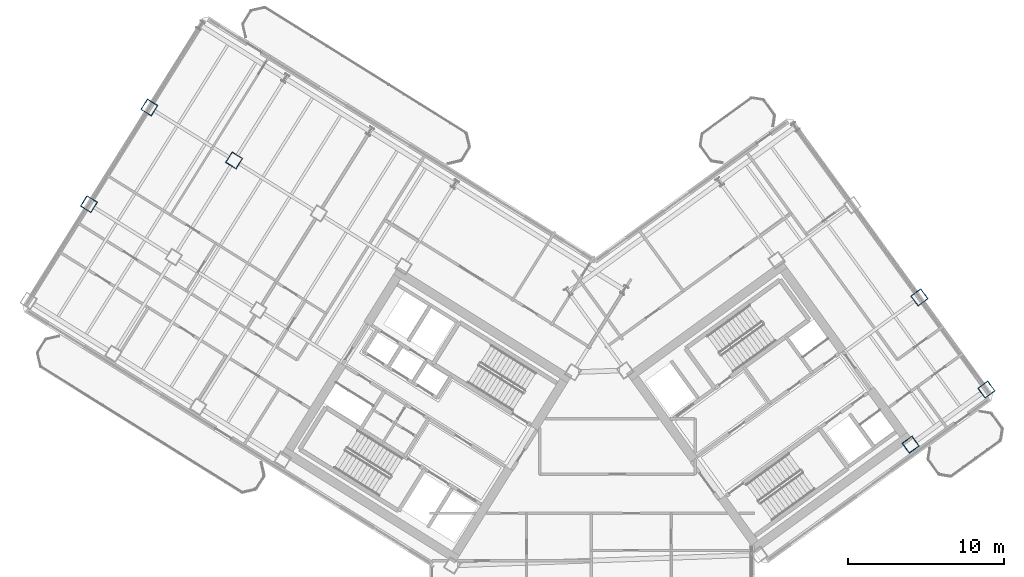
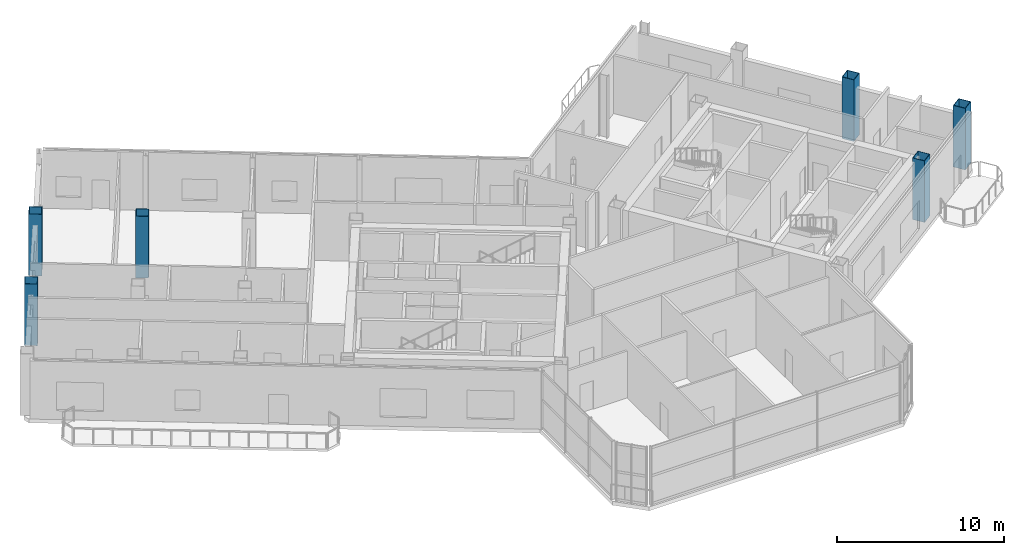
# One storey, part 2 of 21: 6 columns.
"""IFC4 building model written with IfcOpenShell, lengths in metres."""

from ifc_helpers import new_model, si_unit, direction, frame, origin, origin_2d, place, context, subcontext, project, spatial, hollow_rectangle, extrude, source, transform, mapped, material, material_profile, profile_set, type_object, element, save


model = new_model("IFC4")

# Units and contexts
model_context = context("Model", 3, precision=1e-05, world=origin(), true_north=direction((0.0, 1.0)))
body_context = subcontext(model_context, "Body", "Model", "MODEL_VIEW")
ifc_project = project(units=[si_unit("LENGTHUNIT", "METRE"), si_unit("AREAUNIT", "SQUARE_METRE"), si_unit("VOLUMEUNIT", "CUBIC_METRE"), si_unit("PLANEANGLEUNIT", "RADIAN"), si_unit("MASSUNIT", "GRAM", prefix="KILO")], contexts=[model_context])

# Site, building, storey
site_placement = place(None, origin())
site = spatial("IfcSite", under=ifc_project, at=site_placement, CompositionType="ELEMENT")
building_placement = place(site_placement, origin())
building = spatial("IfcBuilding", under=site, at=building_placement, Name="Tlacorven Tower", CompositionType="ELEMENT")
storey_placement = place(building_placement, frame((0.0, 0.0, 199.5)))
storey = spatial("IfcBuildingStorey", under=building, at=storey_placement, Name="L50", CompositionType="ELEMENT", Elevation=199.5)

# Columns
ifc_material = material(Name="Steel S460M", Category="steel")
ifc_material_profile = material_profile(ifc_material, hollow_rectangle(XDim=0.800048828125, YDim=0.800048828125, WallThickness=0.031982421875, at=origin_2d()), Name="BOX 800X800X32")
ifc_profile_set = profile_set([ifc_material_profile], Name="Steel S460M")
column_type = type_object("IfcColumnType", Name="COL-TWR-S3", PredefinedType="COLUMN", material=ifc_profile_set)
shared_shape = source(origin(), body_context, "Body", "SweptSolid", [
    extrude(hollow_rectangle(XDim=0.800048828125, YDim=0.800048828125, WallThickness=0.031982421875, at=origin_2d()), origin(), (0.0, 0.0, 1.0), 4.5),
])
for number, where, z_axis, x_axis, name in (
    (1, (19.072998046875, 38.034423828125, 0.0), (0.0, 0.0, 1.0), (-0.848048096156, 0.529919264233, 0.0), "L50 column COL-L50-W5-2"),
    (2, (13.6455078125, 41.42578125, 0.0), (0.0, 0.0, 1.0), (-0.848048096156, 0.529919264233, 0.0), "L50 column COL-L50-W6-2"),
    (3, (9.777099609375, 35.235107421875, 0.0), (0.0, 0.0, 1.0), (-0.848048096156, 0.529919264233, 0.0), "L50 column COL-L50-W6-3"),
    (4, (62.41357421875, 19.826904296875, 0.0), (0.0, 0.0, 1.0), (0.809016994375, 0.587785252292, 0.0), "L50 column COL-L50-E3-1"),
    (5, (67.267822265625, 23.353515625, 0.0), (0.0, 0.0, 1.0), (0.809016994375, 0.587785252292, 0.0), "L50 column COL-L50-E4-1"),
    (6, (62.976806640625, 29.25927734375, 0.0), (0.0, 0.0, 1.0), (0.809016994375, 0.587785252292, 0.0), "L50 column COL-L50-E4-2"),
):
    element("IfcColumn", number, at=place(storey_placement, frame(where, z_axis=z_axis, x_axis=x_axis)), inside=storey, type_object=column_type, Name=name, PredefinedType="COLUMN", context=body_context, shape_type="MappedRepresentation", body=[
        mapped(shared_shape, transform((0.0, 0.0, 0.0), scale=1.0)),
    ])

save(model, "model.ifc")
